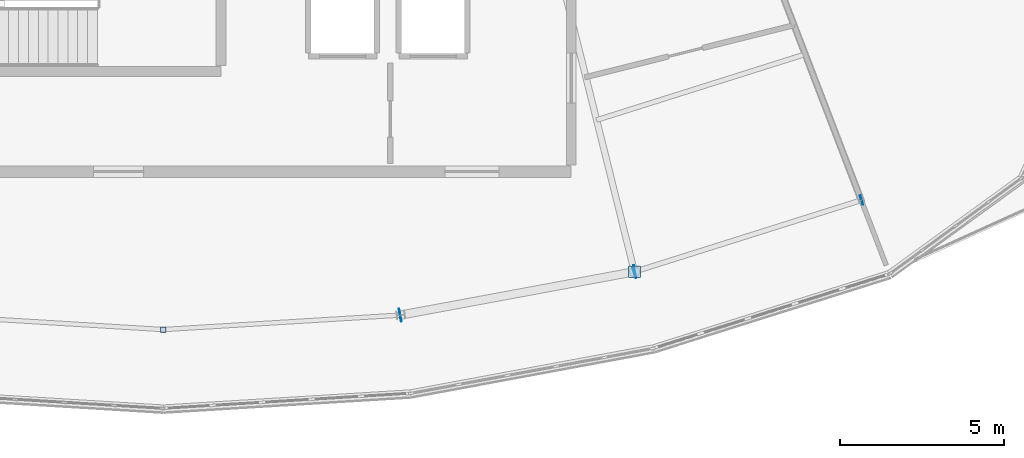
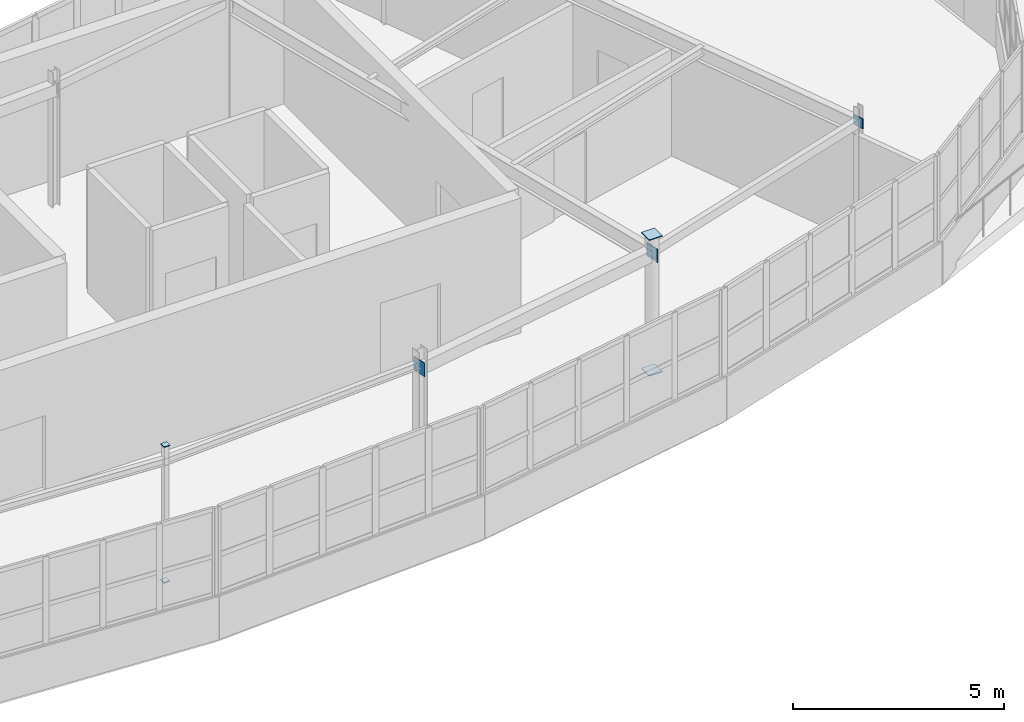
# One storey, part 46 of 65: 8 plates.
"""IFC4 building model written with IfcOpenShell, lengths in metres."""

from ifc_helpers import new_model, si_unit, direction, frame, origin, origin_2d, place, context, subcontext, project, spatial, rectangle, extrude, material, layer, layer_set, type_object, element, save


model = new_model("IFC4")

# Units and contexts
model_context = context("Model", 3, precision=1e-05, world=origin(), true_north=direction((0.0, 1.0)))
body_context = subcontext(model_context, "Body", "Model", "MODEL_VIEW")
ifc_project = project(units=[si_unit("LENGTHUNIT", "METRE"), si_unit("AREAUNIT", "SQUARE_METRE"), si_unit("VOLUMEUNIT", "CUBIC_METRE"), si_unit("PLANEANGLEUNIT", "RADIAN"), si_unit("MASSUNIT", "GRAM", prefix="KILO")], contexts=[model_context])

# Site, building, storey
site_placement = place(None, origin())
site = spatial("IfcSite", under=ifc_project, at=site_placement, CompositionType="ELEMENT")
building_placement = place(site_placement, origin())
building = spatial("IfcBuilding", under=site, at=building_placement, Name="Tarnwether General Hospital", CompositionType="ELEMENT")
storey_placement = place(building_placement, frame((0.0, 0.0, 22.199951171875)))
storey = spatial("IfcBuildingStorey", under=building, at=storey_placement, Name="L05", CompositionType="ELEMENT", Elevation=22.199951171875)

# Plates
ifc_material = material(Name="Steel Grade 350 (350 MPa)", Category="steel")
ifc_layer = layer(ifc_material, 0.02490234375)
ifc_layer_set = layer_set([ifc_layer], Name="Steel Grade 350 (350 MPa)")
plate_type = type_object("IfcPlateType", Name="PT-GUS2", PredefinedType="USERDEFINED", material=ifc_layer_set)
for number, where, z_axis, x_axis, name in (
    (1, (92.0, 3.800048828125, -0.02490234375), (0.0, 0.0, 1.0), (1.0, 0.0, 0.0), "Hollow Section Welded End Cap Plate 0683"),
    (2, (92.0, 3.800048828125, 3.900146484375), (0.0, 0.0, 1.0), (1.0, 0.0, 0.0), "Hollow Section Welded End Cap Plate 0684"),
):
    element("IfcPlate", number, at=place(storey_placement, frame(where, z_axis=z_axis, x_axis=x_axis)), inside=storey, type_object=plate_type, Name=name, ObjectType="GUSSET", PredefinedType="USERDEFINED", context=body_context, shape_type="SweptSolid", body=[
        extrude(rectangle(XDim=0.1650390625, YDim=0.1650390625, at=origin_2d()), origin(), (0.0, 0.0, 1.0), 0.02490234375),
    ])
for number, where, z_axis, x_axis, name in (
    (3, (106.322021484375, 5.55810546875, -0.02490234375), (0.0, 0.0, 1.0), (1.0, 0.0, 0.0), "Hollow Section Welded End Cap Plate 0709"),
    (4, (106.322021484375, 5.55810546875, 3.900146484375), (0.0, 0.0, 1.0), (1.0, 0.0, 0.0), "Hollow Section Welded End Cap Plate 0710"),
):
    element("IfcPlate", number, at=place(storey_placement, frame(where, z_axis=z_axis, x_axis=x_axis)), inside=storey, type_object=plate_type, Name=name, ObjectType="GUSSET", PredefinedType="USERDEFINED", context=body_context, shape_type="SweptSolid", body=[
        extrude(rectangle(XDim=0.364013671875, YDim=0.364013671875, at=origin_2d()), origin(), (0.0, 0.0, 1.0), 0.02490234375),
    ])
for number, where, z_axis, x_axis, name in (
    (5, (99.20263671875, 4.23876953125, 3.18994140625), (0.0, 0.0, 1.0), (0.983261268185, 0.18220120331, 0.0), "Hollow Section Welded End Cap Plate 1153"),
    (6, (106.334228515625, 5.560302734375, 3.18994140625), (0.0, 0.0, 1.0), (0.983261268185, 0.18220120331, 0.0), "Hollow Section Welded End Cap Plate 1154"),
):
    element("IfcPlate", number, at=place(storey_placement, frame(where, z_axis=z_axis, x_axis=x_axis)), inside=storey, type_object=plate_type, Name=name, ObjectType="GUSSET", PredefinedType="USERDEFINED", context=body_context, shape_type="SweptSolid", body=[
        extrude(rectangle(XDim=0.02490234375, YDim=0.389892578125, at=origin_2d()), origin(), (0.0, 0.0, 1.0), 0.389892578125),
    ])
for number, where, z_axis, x_axis, name in (
    (7, (106.31005859375, 5.55419921875, 3.2900390625), (0.0, 0.0, 1.0), (0.953690705585, 0.300789025864, 0.0), "Hollow Section Welded End Cap Plate 1157"),
    (8, (113.226806640625, 7.73583984375, 3.2900390625), (0.0, 0.0, 1.0), (0.953690705585, 0.300789025864, 0.0), "Hollow Section Welded End Cap Plate 1158"),
):
    element("IfcPlate", number, at=place(storey_placement, frame(where, z_axis=z_axis, x_axis=x_axis)), inside=storey, type_object=plate_type, Name=name, ObjectType="GUSSET", PredefinedType="USERDEFINED", context=body_context, shape_type="SweptSolid", body=[
        extrude(rectangle(XDim=0.02490234375, YDim=0.2900390625, at=origin_2d()), origin(), (0.0, 0.0, 1.0), 0.2900390625),
    ])

save(model, "model.ifc")
